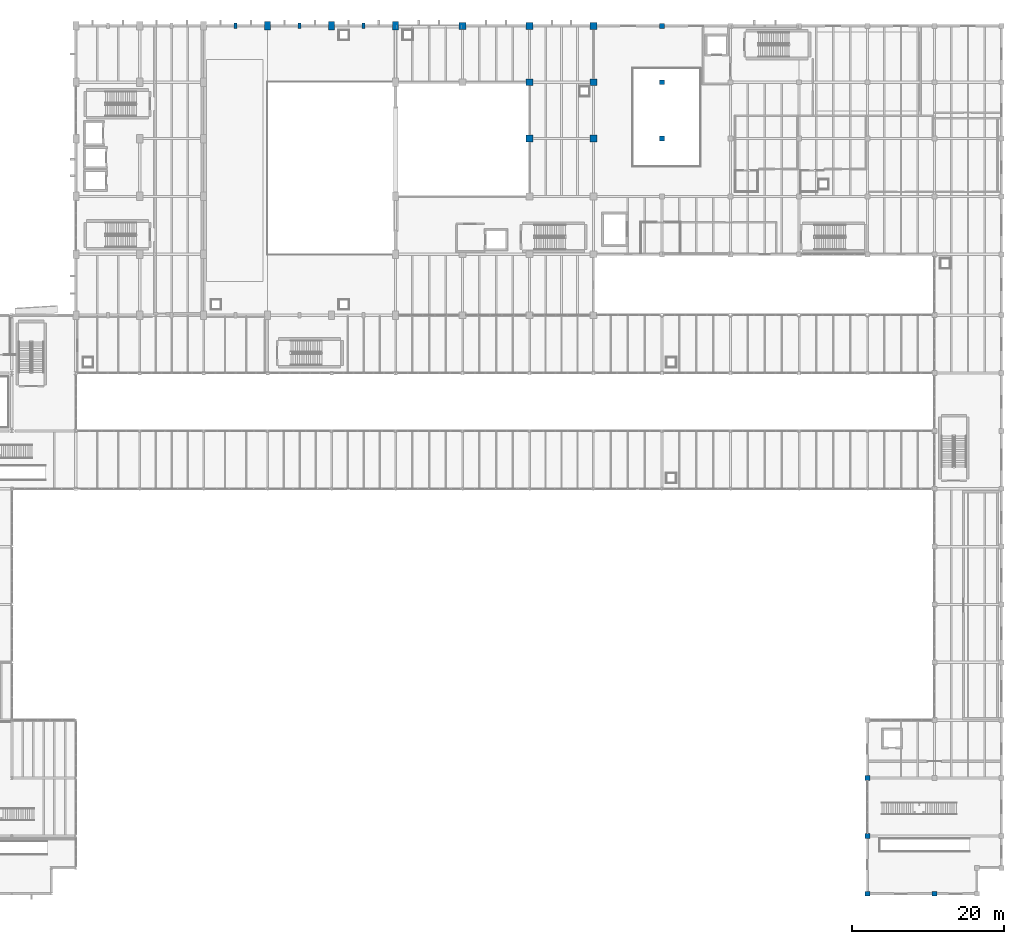
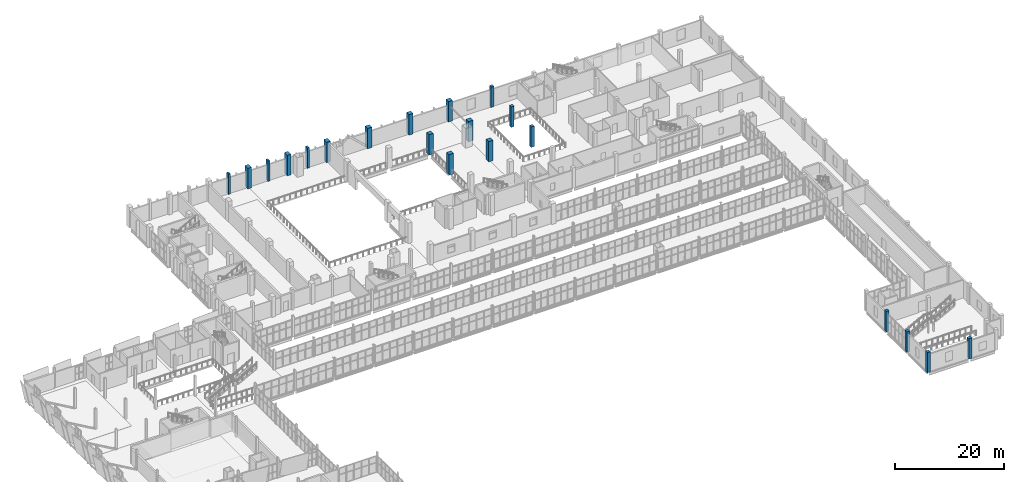
# One storey, part 11 of 172: 20 columns.
"""IFC4 building model written with IfcOpenShell, lengths in metres."""

from ifc_helpers import new_model, si_unit, direction, frame, origin, origin_2d, place, context, subcontext, project, spatial, rectangle, extrude, material, material_profile, profile_set, type_object, element, save


model = new_model("IFC4")

# Units and contexts
model_context = context("Model", 3, precision=1e-05, world=origin(), true_north=direction((0.0, 1.0)))
body_context = subcontext(model_context, "Body", "Model", "MODEL_VIEW")
ifc_project = project(units=[si_unit("LENGTHUNIT", "METRE"), si_unit("AREAUNIT", "SQUARE_METRE"), si_unit("VOLUMEUNIT", "CUBIC_METRE"), si_unit("PLANEANGLEUNIT", "RADIAN"), si_unit("MASSUNIT", "GRAM", prefix="KILO")], contexts=[model_context])

# Site, building, storey
site_placement = place(None, origin())
site = spatial("IfcSite", under=ifc_project, at=site_placement, CompositionType="ELEMENT")
building_placement = place(site_placement, origin())
building = spatial("IfcBuilding", under=site, at=building_placement, Name="Shengluoqiao Park Theatre", CompositionType="ELEMENT")
storey_placement = place(building_placement, frame((0.0, 0.0, 5.39990234375)))
storey = spatial("IfcBuildingStorey", under=building, at=storey_placement, Name="L01", CompositionType="ELEMENT", Elevation=5.39990234375)

# Columns
ifc_material_1 = material(Name="Concrete C50", Category="concrete")
ifc_material_profile_1 = material_profile(ifc_material_1, rectangle(XDim=0.39990234375, YDim=0.699951171875, at=origin_2d()), Name="RC PILASTER 400x700")
ifc_profile_set_1 = profile_set([ifc_material_profile_1], Name="Concrete C50")
column_type_1 = type_object("IfcColumnType", Name="STR-COL-C-PIL4070", PredefinedType="PILASTER", material=ifc_profile_set_1)
for number, where, z_axis, x_axis, name in (
    (1, (65.39990234375, 114.0, 0.0), (0.0, 0.0, 1.0), (1.0, 0.0, 0.0), "L01 Column 0348"),
    (2, (73.800048828125, 114.0, 0.0), (0.0, 0.0, 1.0), (1.0, 0.0, 0.0), "L01 Column 0380"),
    (3, (82.199951171875, 114.0, 0.0), (0.0, 0.0, 1.0), (1.0, 0.0, 0.0), "L01 Column 0412"),
):
    element("IfcColumn", number, at=place(storey_placement, frame(where, z_axis=z_axis, x_axis=x_axis)), inside=storey, type_object=column_type_1, Name=name, PredefinedType="PILASTER", context=body_context, shape_type="SweptSolid", body=[
        extrude(rectangle(XDim=0.39990234375, YDim=0.699951171875, at=origin_2d()), origin(), (0.0, 0.0, 1.0), 4.60009765625),
    ])
ifc_material_2 = material(Name="Concrete C40", Category="concrete")
ifc_material_profile_2 = material_profile(ifc_material_2, rectangle(XDim=0.64990234375, YDim=0.64990234375, at=origin_2d()), Name="RC 650x650")
ifc_profile_set_2 = profile_set([ifc_material_profile_2], Name="Concrete C40")
column_type_2 = type_object("IfcColumnType", Name="STR-COL-C-RC650", PredefinedType="COLUMN", material=ifc_profile_set_2)
for number, where, z_axis, x_axis, name in (
    (4, (121.39990234375, 99.199951171875, 0.0), (0.0, 0.0, 1.0), (1.0, 0.0, 0.0), "L01 Column 0609"),
    (5, (121.39990234375, 106.60009765625, 0.0), (0.0, 0.0, 1.0), (1.0, 0.0, 0.0), "L01 Column 0613"),
    (6, (121.39990234375, 114.0, 0.0), (0.0, 0.0, 1.0), (1.0, 0.0, 0.0), "L01 Column 0620"),
    (7, (148.39990234375, 0.0, 0.0), (0.0, 0.0, 1.0), (1.0, 0.0, 0.0), "L01 Column 0716"),
    (8, (148.39990234375, 7.60009765625, 0.0), (0.0, 0.0, 1.0), (1.0, 0.0, 0.0), "L01 Column 0719"),
    (9, (148.39990234375, 15.199951171875, 0.0), (0.0, 0.0, 1.0), (1.0, 0.0, 0.0), "L01 Column 0722"),
    (10, (157.199951171875, 0.0, 0.0), (0.0, 0.0, 1.0), (1.0, 0.0, 0.0), "L01 Column 0773"),
):
    element("IfcColumn", number, at=place(storey_placement, frame(where, z_axis=z_axis, x_axis=x_axis)), inside=storey, type_object=column_type_2, Name=name, PredefinedType="COLUMN", context=body_context, shape_type="SweptSolid", body=[
        extrude(rectangle(XDim=0.64990234375, YDim=0.64990234375, at=origin_2d()), origin(), (0.0, 0.0, 1.0), 4.60009765625),
    ])
ifc_material_profile_3 = material_profile(ifc_material_1, rectangle(XDim=0.800048828125, YDim=1.10009765625, at=origin_2d()), Name="RC 800x1100")
ifc_profile_set_3 = profile_set([ifc_material_profile_3], Name="Concrete C50")
column_type_3 = type_object("IfcColumnType", Name="STR-COL-C-RC8011", PredefinedType="COLUMN", material=ifc_profile_set_3)
for number, where, z_axis, x_axis, name in (
    (11, (69.60009765625, 114.0, 0.0), (0.0, 0.0, 1.0), (1.0, 0.0, 0.0), "L01 Column 0370"),
    (12, (78.0, 114.0, 0.0), (0.0, 0.0, 1.0), (1.0, 0.0, 0.0), "L01 Column 0402"),
    (13, (86.39990234375, 114.0, 0.0), (0.0, 0.0, 1.0), (1.0, 0.0, 0.0), "L01 Column 0452"),
):
    element("IfcColumn", number, at=place(storey_placement, frame(where, z_axis=z_axis, x_axis=x_axis)), inside=storey, type_object=column_type_3, Name=name, PredefinedType="COLUMN", context=body_context, shape_type="SweptSolid", body=[
        extrude(rectangle(XDim=0.800048828125, YDim=1.10009765625, at=origin_2d()), origin(), (0.0, 0.0, 1.0), 4.60009765625),
    ])
ifc_material_profile_4 = material_profile(ifc_material_1, rectangle(XDim=0.89990234375, YDim=0.89990234375, at=origin_2d()), Name="RC 900x900")
ifc_profile_set_4 = profile_set([ifc_material_profile_4], Name="Concrete C50")
column_type_4 = type_object("IfcColumnType", Name="STR-COL-C-RC900", PredefinedType="COLUMN", material=ifc_profile_set_4)
for number, where, z_axis, x_axis, name in (
    (14, (95.199951171875, 114.0, 0.0), (0.0, 0.0, 1.0), (1.0, 0.0, 0.0), "L01 Column 0486"),
    (15, (104.0, 99.199951171875, 0.0), (0.0, 0.0, 1.0), (1.0, 0.0, 0.0), "L01 Column 0518"),
    (16, (104.0, 106.60009765625, 0.0), (0.0, 0.0, 1.0), (1.0, 0.0, 0.0), "L01 Column 0525"),
    (17, (104.0, 114.0, 0.0), (0.0, 0.0, 1.0), (1.0, 0.0, 0.0), "L01 Column 0532"),
    (18, (112.39990234375, 99.199951171875, 0.0), (0.0, 0.0, 1.0), (1.0, 0.0, 0.0), "L01 Column 0564"),
    (19, (112.39990234375, 106.60009765625, 0.0), (0.0, 0.0, 1.0), (1.0, 0.0, 0.0), "L01 Column 0571"),
    (20, (112.39990234375, 114.0, 0.0), (0.0, 0.0, 1.0), (1.0, 0.0, 0.0), "L01 Column 0578"),
):
    element("IfcColumn", number, at=place(storey_placement, frame(where, z_axis=z_axis, x_axis=x_axis)), inside=storey, type_object=column_type_4, Name=name, PredefinedType="COLUMN", context=body_context, shape_type="SweptSolid", body=[
        extrude(rectangle(XDim=0.89990234375, YDim=0.89990234375, at=origin_2d()), origin(), (0.0, 0.0, 1.0), 4.60009765625),
    ])

save(model, "model.ifc")
